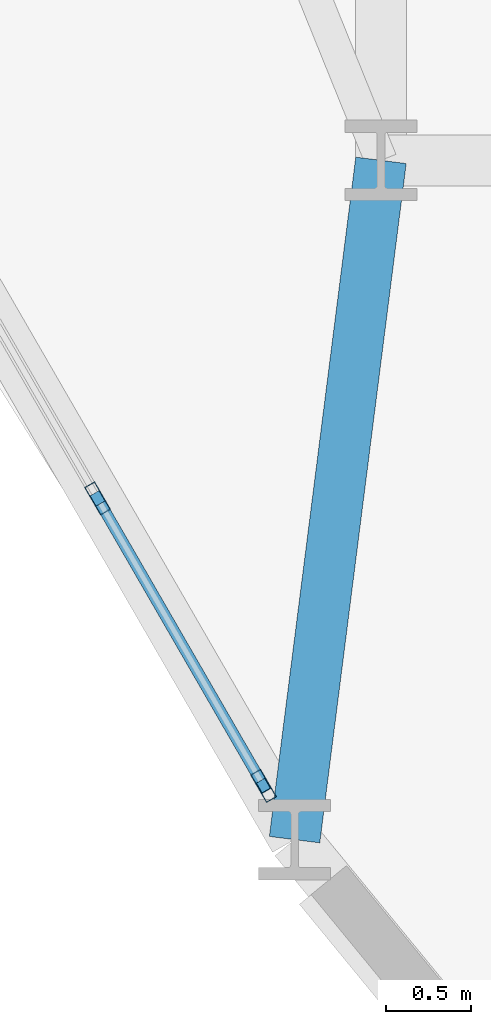
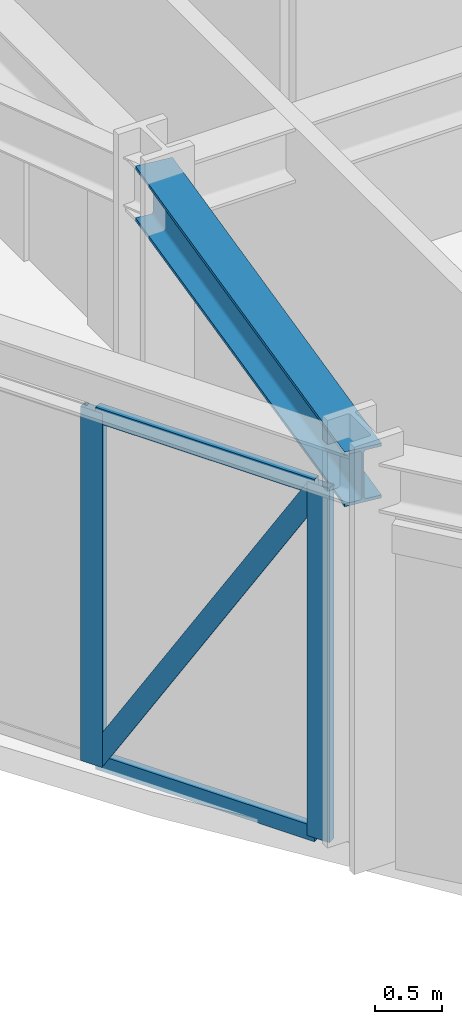
# One storey, part 2 of 20: 5 members, 1 beam, 1 element without a shape of its own.
"""IFC4 building model written with IfcOpenShell, lengths in metres."""

from ifc_helpers import new_model, si_unit, derived_unit, direction, frame, origin, origin_2d, place, context, subcontext, project, spatial, hollow_rectangle, i_section, extrude, source, transform, mapped, material, layer, layer_set, material_profile, profile_set, type_object, element, aggregate, save


model = new_model("IFC4")

# Units and contexts
model_context = context("Model", 3, precision=1e-05, world=origin(), true_north=direction((0.0, 1.0)))
body_context = subcontext(model_context, "Body", "Model", "MODEL_VIEW")
ifc_project = project(units=[si_unit("LENGTHUNIT", "METRE"), si_unit("AREAUNIT", "SQUARE_METRE"), si_unit("VOLUMEUNIT", "CUBIC_METRE"), si_unit("PLANEANGLEUNIT", "RADIAN"), si_unit("MASSUNIT", "GRAM", prefix="KILO"), derived_unit("THERMALTRANSMITTANCEUNIT", [(si_unit("POWERUNIT", "WATT"), 1), (si_unit("LENGTHUNIT", "METRE"), -2), (si_unit("THERMODYNAMICTEMPERATUREUNIT", "KELVIN"), -1)])], contexts=[model_context])

# Site, building, storey
site_placement = place(None, origin())
site = spatial("IfcSite", under=ifc_project, at=site_placement, CompositionType="ELEMENT")
building_placement = place(site_placement, origin())
building = spatial("IfcBuilding", under=site, at=building_placement, Name="Korsvarv Bourse and Concert Hall", CompositionType="ELEMENT")
storey_placement = place(building_placement, frame((0.0, 0.0, 91.199951171875)))
storey = spatial("IfcBuildingStorey", under=building, at=storey_placement, Name="L22", CompositionType="ELEMENT", Elevation=91.199951171875)

# Beam
ifc_material_1 = material(Name="Steel S355", Category="steel")
ifc_material_profile_1 = material_profile(ifc_material_1, i_section(OverallWidth=0.300048828125, OverallDepth=0.5, WebThickness=0.014404296875, FlangeThickness=0.028076171875, FilletRadius=0.02392578125, at=origin_2d()), Name="HEB 500")
ifc_profile_set_1 = profile_set([ifc_material_profile_1], Name="Steel S355")
beam_type = type_object("IfcBeamType", Name="BM-HEB500", PredefinedType="BEAM", material=ifc_profile_set_1)
shared_shape_1 = source(origin(), body_context, "Body", "SweptSolid", [
    extrude(i_section(OverallWidth=0.300048828125, OverallDepth=0.5, WebThickness=0.014404296875, FlangeThickness=0.028076171875, FilletRadius=0.02392578125, at=origin_2d()), origin(), (0.0, 0.0, 1.0), 4.041015625),
])
beam_placement = place(storey_placement, frame((27.090087890625, 19.9912109375, 3.429931640625), z_axis=(0.126205637496, 0.992004101334, 0.0), x_axis=(-0.992004101334, 0.126205637496, 0.0)))
element("IfcBeam", 1, at=beam_placement, inside=storey, type_object=beam_type, Name="L22 beam B-07", PredefinedType="BEAM", context=body_context, shape_type="MappedRepresentation", body=[
    mapped(shared_shape_1, transform((0.0, 0.0, 0.0), scale=1.0)),
])

# Curtain wall, members
ifc_material_2 = material(Name="Anodised aluminium and triple low-E glazing", Category="glass")
ifc_layer = layer(ifc_material_2, 0.219970703125)
ifc_layer_set = layer_set([ifc_layer], Name="Anodised aluminium and triple low-E glazing")
curtain_wall_type = type_object("IfcCurtainWallType", Name="CW-SYS-1", PredefinedType="NOTDEFINED", material=ifc_layer_set)
curtain_wall_placement = place(storey_placement, origin())
curtain_wall = element("IfcCurtainWall", 2, at=curtain_wall_placement, inside=storey, type_object=curtain_wall_type, Name="L22 CW1 curtain wall CW-L22-F07", PredefinedType="NOTDEFINED")
ifc_material_3 = material(Name="Extruded aluminium EN AW-6063 T66", Category="aluminium")
ifc_material_profile_2 = material_profile(ifc_material_3, hollow_rectangle(XDim=0.070068359375, YDim=0.18994140625, WallThickness=0.0048828125, at=origin_2d()), Name="ALU-M 70x190")
ifc_profile_set_2 = profile_set([ifc_material_profile_2], Name="Extruded aluminium EN AW-6063 T66")
member_type_1 = type_object("IfcMemberType", Name="CWM-190", PredefinedType="MULLION", material=ifc_profile_set_2)
shared_shape_2 = source(origin(), body_context, "Body", "SweptSolid", [
    extrude(hollow_rectangle(XDim=0.070068359375, YDim=0.18994140625, WallThickness=0.0048828125, at=origin_2d()), origin(), (0.0, 0.0, 1.0), 3.22998046875),
])
member_1_placement = place(storey_placement, frame((25.927490234375, 22.0048828125, 0.0), z_axis=(0.0, 0.0, 1.0), x_axis=(0.8660261613, 0.499998687942, 0.0)))
member_1 = element("IfcMember", 3, at=member_1_placement, type_object=member_type_1, Name="CW1 mullion 7", PredefinedType="MULLION", context=body_context, shape_type="MappedRepresentation", body=[
    mapped(shared_shape_2, transform((0.0, 0.0, 0.0), scale=1.0)),
])
member_2_placement = place(storey_placement, frame((26.906982421875, 20.30859375, 0.0), z_axis=(0.0, 0.0, 1.0), x_axis=(0.8660261613, 0.499998687942, 0.0)))
member_2 = element("IfcMember", 4, at=member_2_placement, type_object=member_type_1, Name="CW1 mullion 8", PredefinedType="MULLION", context=body_context, shape_type="MappedRepresentation", body=[
    mapped(shared_shape_2, transform((0.0, 0.0, 0.0), scale=1.0)),
])
ifc_material_profile_3 = material_profile(ifc_material_3, hollow_rectangle(XDim=0.06494140625, YDim=0.139892578125, WallThickness=0.00390625, at=origin_2d()), Name="ALU-T 65x140")
ifc_profile_set_3 = profile_set([ifc_material_profile_3], Name="Extruded aluminium EN AW-6063 T66")
member_type_2 = type_object("IfcMemberType", Name="CWT-140", PredefinedType="USERDEFINED", material=ifc_profile_set_3)
shared_shape_3 = source(origin(), body_context, "Body", "SweptSolid", [
    extrude(hollow_rectangle(XDim=0.06494140625, YDim=0.139892578125, WallThickness=0.00390625, at=origin_2d()), origin(), (0.0, 0.0, 1.0), 1.888671875),
])
member_3_placement = place(storey_placement, frame((25.945068359375, 21.974609375, 0.032470703125), z_axis=(0.499976073514, -0.866039217307, 0.0), x_axis=(0.866039217307, 0.499976073514, 0.0)))
member_3 = element("IfcMember", 5, at=member_3_placement, type_object=member_type_2, Name="CW1 transom 7.1", ObjectType="TRANSOM", PredefinedType="USERDEFINED", context=body_context, shape_type="MappedRepresentation", body=[
    mapped(shared_shape_3, transform((0.0, 0.0, 0.0), scale=1.0)),
])
member_4_placement = place(storey_placement, frame((25.945068359375, 21.974609375, 3.197509765625), z_axis=(0.499976073514, -0.866039217307, 0.0), x_axis=(0.866039217307, 0.499976073514, 0.0)))
member_4 = element("IfcMember", 6, at=member_4_placement, type_object=member_type_2, Name="CW1 transom 7.2", ObjectType="TRANSOM", PredefinedType="USERDEFINED", context=body_context, shape_type="MappedRepresentation", body=[
    mapped(shared_shape_3, transform((0.0, 0.0, 0.0), scale=1.0)),
])
ifc_material_profile_4 = material_profile(ifc_material_3, hollow_rectangle(XDim=0.06494140625, YDim=0.1650390625, WallThickness=0.0048828125, at=origin_2d()), Name="ALU-M 65x165")
ifc_profile_set_4 = profile_set([ifc_material_profile_4], Name="Extruded aluminium EN AW-6063 T66")
member_type_3 = type_object("IfcMemberType", Name="CWM-165", PredefinedType="MULLION", material=ifc_profile_set_4)
shared_shape_4 = source(origin(), body_context, "Body", "SweptSolid", [
    extrude(hollow_rectangle(XDim=0.06494140625, YDim=0.1650390625, WallThickness=0.0048828125, at=origin_2d()), origin(), (0.0, 0.0, 1.0), 3.630126953125),
])
member_5_placement = place(storey_placement, frame((25.945068359375, 21.974609375, 0.06494140625), z_axis=(0.260136503608, -0.450598390427, 0.853984830096), x_axis=(0.866039217307, 0.499976073514, 0.0)))
member_5 = element("IfcMember", 7, at=member_5_placement, type_object=member_type_3, Name="CW1 diagonal mullion 7", PredefinedType="MULLION", context=body_context, shape_type="MappedRepresentation", body=[
    mapped(shared_shape_4, transform((0.0, 0.0, 0.0), scale=1.0)),
])
aggregate(curtain_wall, [member_1, member_2, member_3, member_4, member_5])

save(model, "model.ifc")
